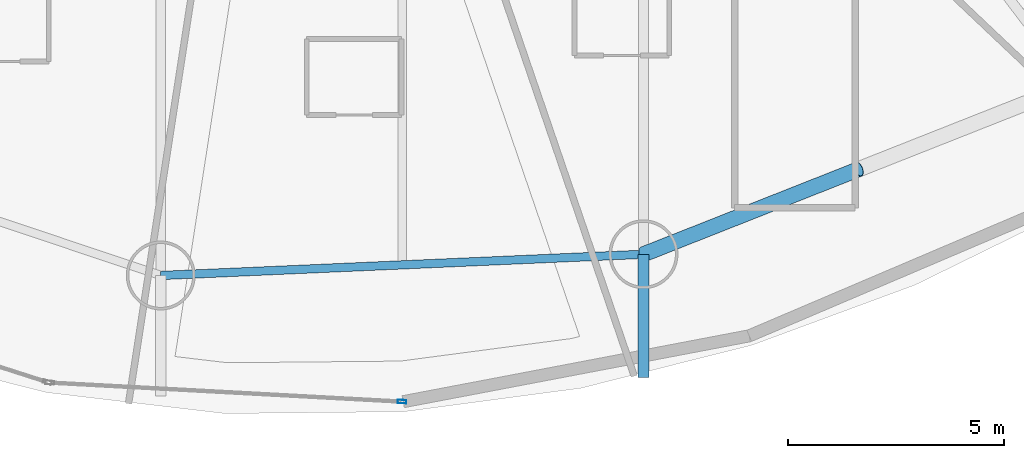
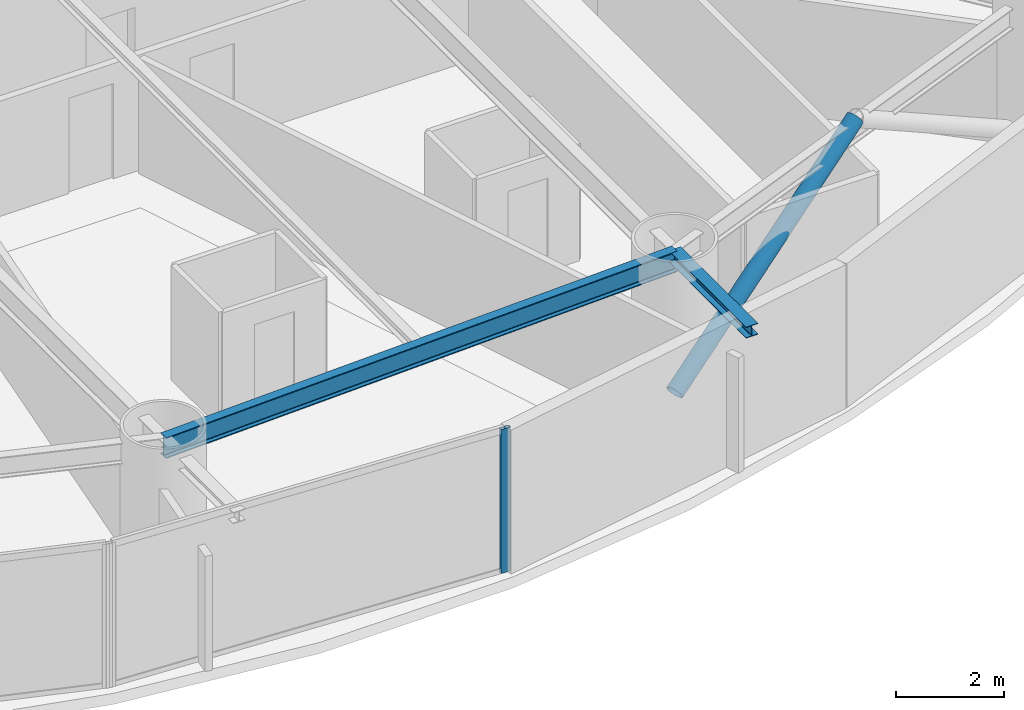
# One storey, part 6 of 26: 2 beams, 2 members, 1 element without a shape of its own.
"""IFC4 building model written with IfcOpenShell, lengths in metres."""

from ifc_helpers import new_model, si_unit, direction, frame, origin, origin_2d, place, context, subcontext, project, spatial, hollow_rectangle, hollow_circle, i_section, extrude, material, layer, layer_set, material_profile, profile_set, type_object, element, aggregate, save


model = new_model("IFC4")

# Units and contexts
model_context = context("Model", 3, precision=1e-05, world=origin(), true_north=direction((0.0, 1.0)))
body_context = subcontext(model_context, "Body", "Model", "MODEL_VIEW")
ifc_project = project(units=[si_unit("LENGTHUNIT", "METRE"), si_unit("AREAUNIT", "SQUARE_METRE"), si_unit("VOLUMEUNIT", "CUBIC_METRE"), si_unit("PLANEANGLEUNIT", "RADIAN"), si_unit("MASSUNIT", "GRAM", prefix="KILO")], contexts=[model_context])

# Site, building, storey
site_placement = place(None, origin())
site = spatial("IfcSite", under=ifc_project, at=site_placement, CompositionType="ELEMENT")
building_placement = place(site_placement, origin())
building = spatial("IfcBuilding", under=site, at=building_placement, Name="Bramvorn Convention Spire", CompositionType="ELEMENT")
storey_placement = place(building_placement, frame((0.0, 0.0, 76.39990234375)))
storey = spatial("IfcBuildingStorey", under=building, at=storey_placement, Name="L17", CompositionType="ELEMENT", Elevation=76.39990234375)

# Beams
ifc_material_1 = material(Name="Steel CSA G40.21 Grade 350 (350W)", Category="steel")
ifc_material_profile_1 = material_profile(ifc_material_1, i_section(OverallWidth=0.25390625, OverallDepth=0.2529296875, WebThickness=0.008544921875, FlangeThickness=0.01416015625, FilletRadius=0.011962890625, at=origin_2d()))
ifc_profile_set_1 = profile_set([ifc_material_profile_1], Name="Steel CSA G40.21 Grade 350 (350W) - W250X73")
beam_type_1 = type_object("IfcBeamType", Name="BM-W250X73", PredefinedType="BEAM", material=ifc_profile_set_1)
beam_1_placement = place(storey_placement, frame((46.23779296875, 5.42333984375, 3.12353515625), z_axis=(0.0, -1.0, 0.0), x_axis=(1.0, 0.0, 0.0)))
element("IfcBeam", 1, at=beam_1_placement, inside=storey, type_object=beam_type_1, Name="L17 slab-edge cantilever tip beam MC14", PredefinedType="BEAM", context=body_context, shape_type="SweptSolid", body=[
    extrude(i_section(OverallWidth=0.25390625, OverallDepth=0.2529296875, WebThickness=0.008544921875, FlangeThickness=0.01416015625, FilletRadius=0.011962890625, at=origin_2d()), origin(), (0.0, 0.0, 1.0), 2.855712890625),
])
ifc_material_profile_2 = material_profile(ifc_material_1, i_section(OverallWidth=0.194091796875, OverallDepth=0.468994140625, WebThickness=0.0126953125, FlangeThickness=0.0205078125, FilletRadius=0.01806640625, at=origin_2d()))
ifc_profile_set_2 = profile_set([ifc_material_profile_2], Name="Steel CSA G40.21 Grade 350 (350W) - W460X106")
beam_type_2 = type_object("IfcBeamType", Name="BM-W460X106", PredefinedType="SPANDREL", material=ifc_profile_set_2)
beam_2_placement = place(storey_placement, frame((35.0390625, 4.93115234375, 3.015625), z_axis=(0.999035582762, 0.043907907889, 0.0), x_axis=(-0.043907907889, 0.999035582762, 0.0)))
element("IfcBeam", 2, at=beam_2_placement, inside=storey, type_object=beam_type_2, Name="L17 mega-column ring beam 13", PredefinedType="SPANDREL", context=body_context, shape_type="SweptSolid", body=[
    extrude(i_section(OverallWidth=0.194091796875, OverallDepth=0.468994140625, WebThickness=0.0126953125, FlangeThickness=0.0205078125, FilletRadius=0.01806640625, at=origin_2d()), origin(), (0.0, 0.0, 1.0), 11.20947265625),
])

# Curtain wall, member
ifc_material_2 = material(Name="Anodised Bronze Unitised Curtain Wall", Category="aluminium")
ifc_layer = layer(ifc_material_2, 0.179931640625)
ifc_layer_set = layer_set([ifc_layer], Name="Anodised Bronze Unitised Curtain Wall - CW-HTL-FRIT")
curtain_wall_type = type_object("IfcCurtainWallType", Name="CW-HTL-FRIT", PredefinedType="USERDEFINED", material=ifc_layer_set)
curtain_wall_placement = place(storey_placement, origin())
curtain_wall = element("IfcCurtainWall", 3, at=curtain_wall_placement, inside=storey, type_object=curtain_wall_type, Name="L17 fritted glass curtain wall 19", ObjectType="UNITISED CURTAIN WALL", PredefinedType="USERDEFINED")
ifc_material_3 = material(Name="Anodised Bronze Aluminium 6063-T6", Category="aluminium")
ifc_material_profile_3 = material_profile(ifc_material_3, hollow_rectangle(XDim=0.080078125, YDim=0.199951171875, WallThickness=0.00390625, InnerFilletRadius=0.0009765625, OuterFilletRadius=0.00390625, at=origin_2d()))
ifc_profile_set_3 = profile_set([ifc_material_profile_3], Name="Anodised Bronze Aluminium 6063-T6 - CWM80X200")
member_type_1 = type_object("IfcMemberType", Name="CW-MUL-180", PredefinedType="MULLION", material=ifc_profile_set_3)
member_1_placement = place(storey_placement, frame((40.63525390625, 2.005126953125, 0.0), z_axis=(0.0, 0.0, 1.0), x_axis=(-0.05397133417, -0.998542485369, 0.0)))
member_1 = element("IfcMember", 4, at=member_1_placement, type_object=member_type_1, Name="CW2 mullion 1", PredefinedType="MULLION", context=body_context, shape_type="SweptSolid", body=[
    extrude(hollow_rectangle(XDim=0.080078125, YDim=0.199951171875, WallThickness=0.00390625, InnerFilletRadius=0.0009765625, OuterFilletRadius=0.00390625, at=origin_2d()), origin(), (0.0, 0.0, 1.0), 3.25),
])
aggregate(curtain_wall, [member_1])

# Member
ifc_material_profile_4 = material_profile(ifc_material_1, hollow_circle(Radius=0.177734375, WallThickness=0.015869140625, at=origin_2d()))
ifc_profile_set_4 = profile_set([ifc_material_profile_4], Name="Steel CSA G40.21 Grade 350 (350W) - CHS356X16")
member_type_2 = type_object("IfcMemberType", Name="MBR-CHS356X16", PredefinedType="BRACE", material=ifc_profile_set_4)
member_2_placement = place(storey_placement, frame((46.23779296875, 5.42333984375, 0.0), z_axis=(0.795674251791, 0.314435032295, 0.517719128005), x_axis=(-0.367523576179, 0.930014204705, 0.0)))
element("IfcMember", 5, at=member_2_placement, inside=storey, type_object=member_type_2, Name="L17 perimeter Gothic lancet brace 14A", PredefinedType="BRACE", context=body_context, shape_type="SweptSolid", body=[
    extrude(hollow_circle(Radius=0.177734375, WallThickness=0.015869140625, at=origin_2d()), origin(), (0.0, 0.0, 1.0), 6.277587890625),
])

save(model, "model.ifc")
